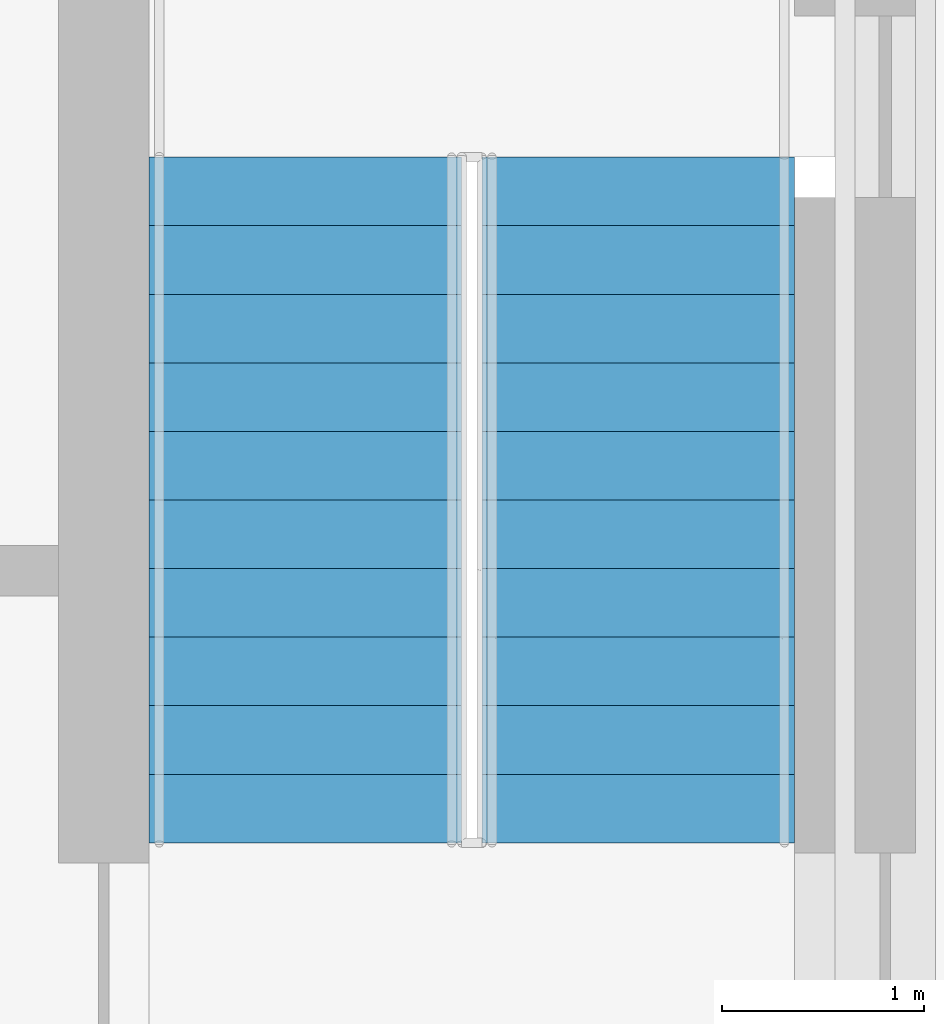
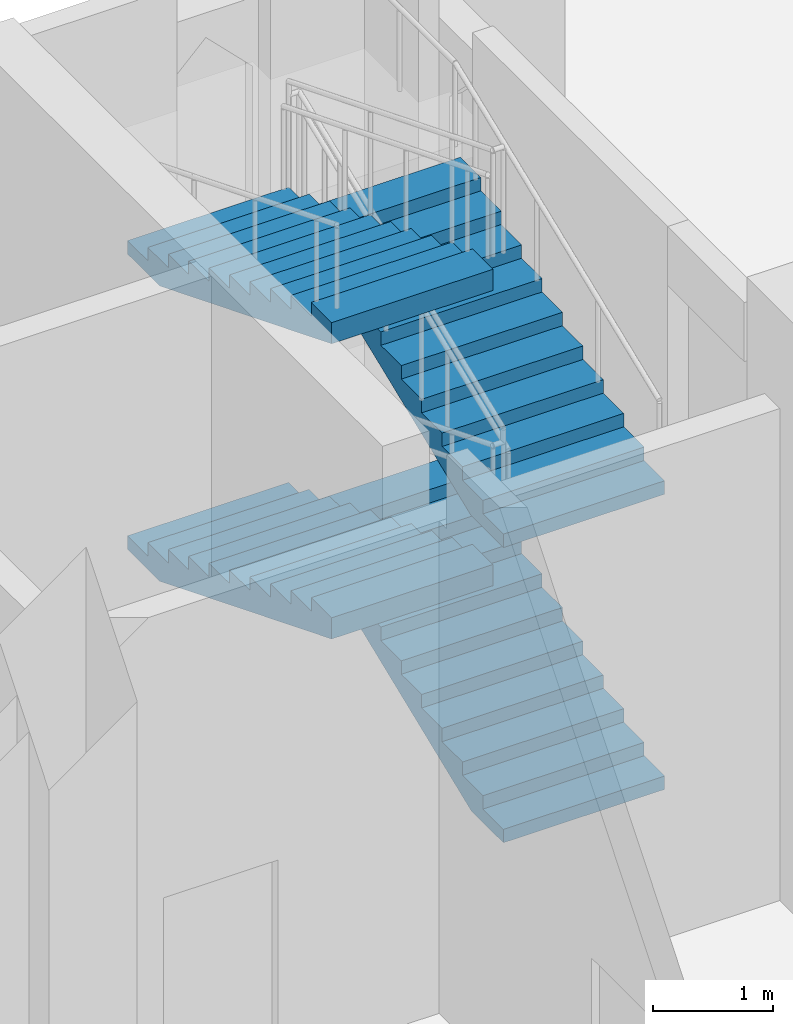
# One storey, part 42 of 50: 4 stair flights, 1 element without a shape of its own.
"""IFC4 building model written with IfcOpenShell, lengths in metres."""

from ifc_helpers import new_model, si_unit, direction, frame, origin, place, context, subcontext, project, spatial, polyline, outline, extrude, material, type_object, element, aggregate, save


model = new_model("IFC4")

# Units and contexts
model_context = context("Model", 3, precision=1e-05, world=origin(), true_north=direction((0.0, 1.0)))
body_context = subcontext(model_context, "Body", "Model", "MODEL_VIEW")
ifc_project = project(units=[si_unit("LENGTHUNIT", "METRE"), si_unit("AREAUNIT", "SQUARE_METRE"), si_unit("VOLUMEUNIT", "CUBIC_METRE"), si_unit("PLANEANGLEUNIT", "RADIAN"), si_unit("MASSUNIT", "GRAM", prefix="KILO")], contexts=[model_context])

# Site, building, storey
site_placement = place(None, origin())
site = spatial("IfcSite", under=ifc_project, at=site_placement, CompositionType="ELEMENT")
building_placement = place(site_placement, origin())
building = spatial("IfcBuilding", under=site, at=building_placement, Name="Silangan Lancet Faculty of Sciences", CompositionType="ELEMENT")
storey_placement = place(building_placement, origin())
storey = spatial("IfcBuildingStorey", under=building, at=storey_placement, Name="L00", CompositionType="ELEMENT", Elevation=0.0)

# Stair, stair flights
ifc_material_1 = material(Name="Concrete C40/50", Category="concrete")
stair_type = type_object("IfcStairType", Name="TURRET STAIR 1550 FOUR-FLIGHT", PredefinedType="DOUBLE_RETURN_STAIR", material=ifc_material_1)
stair_placement = place(storey_placement, origin())
stair = element("IfcStair", 1, at=stair_placement, inside=storey, type_object=stair_type, Name="EB-B stair L00", PredefinedType="DOUBLE_RETURN_STAIR")
ifc_material_2 = material(Name="Concrete C40/50", Category="concrete")
stair_flight_type = type_object("IfcStairFlightType", Name="TURRET STAIR FLIGHT 1550", PredefinedType="STRAIGHT", material=ifc_material_2)
stair_flight_1_placement = place(storey_placement, frame((85.175048828125, 52.14990234375, 0.0), z_axis=(0.0, 0.0, 1.0), x_axis=(0.0, 1.0, 0.0)))
stair_flight_1 = element("IfcStairFlight", 2, at=stair_flight_1_placement, type_object=stair_flight_type, Name="STR10 flight 1", NumberOfRisers=11, NumberOfTreads=10, PredefinedType="STRAIGHT", RiserHeight=0.136363636, TreadLength=0.34, context=body_context, shape_type="SweptSolid", body=[
    extrude(outline(polyline([(0.0, 0.0), (0.0, 0.136474609375), (0.340087890625, 0.136474609375), (0.340087890625, 0.272705078125), (0.679931640625, 0.272705078125), (0.679931640625, 0.4091796875), (1.02001953125, 0.4091796875), (1.02001953125, 0.54541015625), (1.360107421875, 0.54541015625), (1.360107421875, 0.681884765625), (1.699951171875, 0.681884765625), (1.699951171875, 0.818115234375), (2.0400390625, 0.818115234375), (2.0400390625, 0.95458984375), (2.3798828125, 0.95458984375), (2.3798828125, 1.0908203125), (2.719970703125, 1.0908203125), (2.719970703125, 1.227294921875), (3.06005859375, 1.227294921875), (3.06005859375, 1.363525390625), (3.39990234375, 1.363525390625), (3.39990234375, 1.5), (3.39990234375, 1.148193359375), (0.537109375, 0.0), (0.0, 0.0)])), frame((0.0, 0.77490234375, 0.0), z_axis=(0.0, -1.0, 0.0), x_axis=(1.0, 0.0, 0.0)), (0.0, 0.0, 1.0), 1.550048828125),
])
stair_flight_2_placement = place(storey_placement, frame((83.52490234375, 55.550048828125, 1.5), z_axis=(0.0, 0.0, 1.0), x_axis=(0.0, -1.0, 0.0)))
stair_flight_2 = element("IfcStairFlight", 3, at=stair_flight_2_placement, type_object=stair_flight_type, Name="STR10 flight 2", NumberOfRisers=11, NumberOfTreads=10, PredefinedType="STRAIGHT", RiserHeight=0.136363636, TreadLength=0.34, context=body_context, shape_type="SweptSolid", body=[
    extrude(outline(polyline([(0.0, 0.0), (0.0, 0.136474609375), (0.340087890625, 0.136474609375), (0.340087890625, 0.272705078125), (0.679931640625, 0.272705078125), (0.679931640625, 0.4091796875), (1.02001953125, 0.4091796875), (1.02001953125, 0.54541015625), (1.360107421875, 0.54541015625), (1.360107421875, 0.681884765625), (1.699951171875, 0.681884765625), (1.699951171875, 0.818115234375), (2.0400390625, 0.818115234375), (2.0400390625, 0.95458984375), (2.3798828125, 0.95458984375), (2.3798828125, 1.0908203125), (2.719970703125, 1.0908203125), (2.719970703125, 1.227294921875), (3.06005859375, 1.227294921875), (3.06005859375, 1.363525390625), (3.39990234375, 1.363525390625), (3.39990234375, 1.5), (3.39990234375, 1.148193359375), (0.537109375, 0.0), (0.0, 0.0)])), frame((0.0, 0.77490234375, 0.0), z_axis=(0.0, -1.0, 0.0), x_axis=(1.0, 0.0, 0.0)), (0.0, 0.0, 1.0), 1.550048828125),
])
stair_flight_3_placement = place(storey_placement, frame((85.175048828125, 52.14990234375, 3.0), z_axis=(0.0, 0.0, 1.0), x_axis=(0.0, 1.0, 0.0)))
stair_flight_3 = element("IfcStairFlight", 4, at=stair_flight_3_placement, type_object=stair_flight_type, Name="STR10 flight 3", NumberOfRisers=11, NumberOfTreads=10, PredefinedType="STRAIGHT", RiserHeight=0.136363636, TreadLength=0.34, context=body_context, shape_type="SweptSolid", body=[
    extrude(outline(polyline([(0.0, 0.0), (0.0, 0.136474609375), (0.340087890625, 0.136474609375), (0.340087890625, 0.272705078125), (0.679931640625, 0.272705078125), (0.679931640625, 0.4091796875), (1.02001953125, 0.4091796875), (1.02001953125, 0.54541015625), (1.360107421875, 0.54541015625), (1.360107421875, 0.681884765625), (1.699951171875, 0.681884765625), (1.699951171875, 0.818115234375), (2.0400390625, 0.818115234375), (2.0400390625, 0.95458984375), (2.3798828125, 0.95458984375), (2.3798828125, 1.0908203125), (2.719970703125, 1.0908203125), (2.719970703125, 1.227294921875), (3.06005859375, 1.227294921875), (3.06005859375, 1.363525390625), (3.39990234375, 1.363525390625), (3.39990234375, 1.5), (3.39990234375, 1.148193359375), (0.537109375, 0.0), (0.0, 0.0)])), frame((0.0, 0.77490234375, 0.0), z_axis=(0.0, -1.0, 0.0), x_axis=(1.0, 0.0, 0.0)), (0.0, 0.0, 1.0), 1.550048828125),
])
stair_flight_4_placement = place(storey_placement, frame((83.52490234375, 55.550048828125, 4.5), z_axis=(0.0, 0.0, 1.0), x_axis=(0.0, -1.0, 0.0)))
stair_flight_4 = element("IfcStairFlight", 5, at=stair_flight_4_placement, type_object=stair_flight_type, Name="STR10 flight 4", NumberOfRisers=11, NumberOfTreads=10, PredefinedType="STRAIGHT", RiserHeight=0.136363636, TreadLength=0.34, context=body_context, shape_type="SweptSolid", body=[
    extrude(outline(polyline([(0.0, 0.0), (0.0, 0.136474609375), (0.340087890625, 0.136474609375), (0.340087890625, 0.272705078125), (0.679931640625, 0.272705078125), (0.679931640625, 0.4091796875), (1.02001953125, 0.4091796875), (1.02001953125, 0.54541015625), (1.360107421875, 0.54541015625), (1.360107421875, 0.681884765625), (1.699951171875, 0.681884765625), (1.699951171875, 0.818115234375), (2.0400390625, 0.818115234375), (2.0400390625, 0.95458984375), (2.3798828125, 0.95458984375), (2.3798828125, 1.0908203125), (2.719970703125, 1.0908203125), (2.719970703125, 1.227294921875), (3.06005859375, 1.227294921875), (3.06005859375, 1.363525390625), (3.39990234375, 1.363525390625), (3.39990234375, 1.5), (3.39990234375, 1.148193359375), (0.537109375, 0.0), (0.0, 0.0)])), frame((0.0, 0.77490234375, 0.0), z_axis=(0.0, -1.0, 0.0), x_axis=(1.0, 0.0, 0.0)), (0.0, 0.0, 1.0), 1.550048828125),
])
aggregate(stair, [stair_flight_1, stair_flight_2, stair_flight_3, stair_flight_4])

save(model, "model.ifc")
